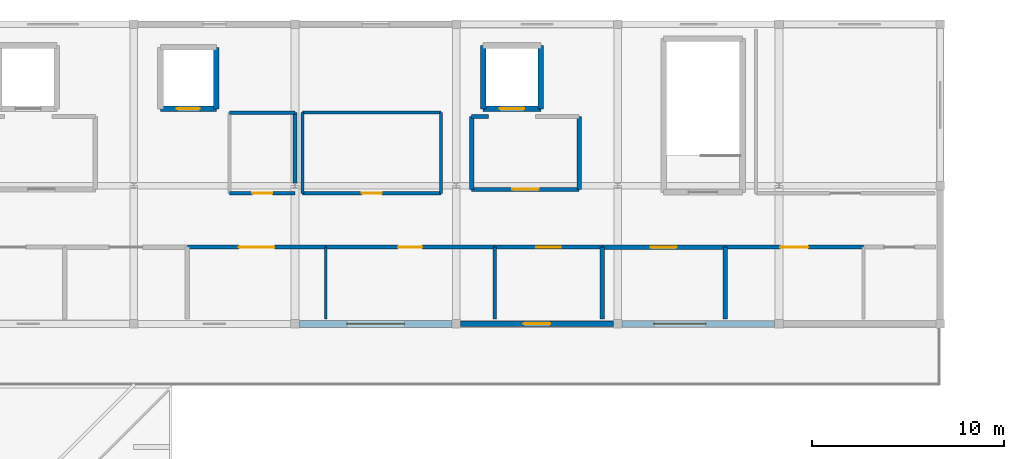
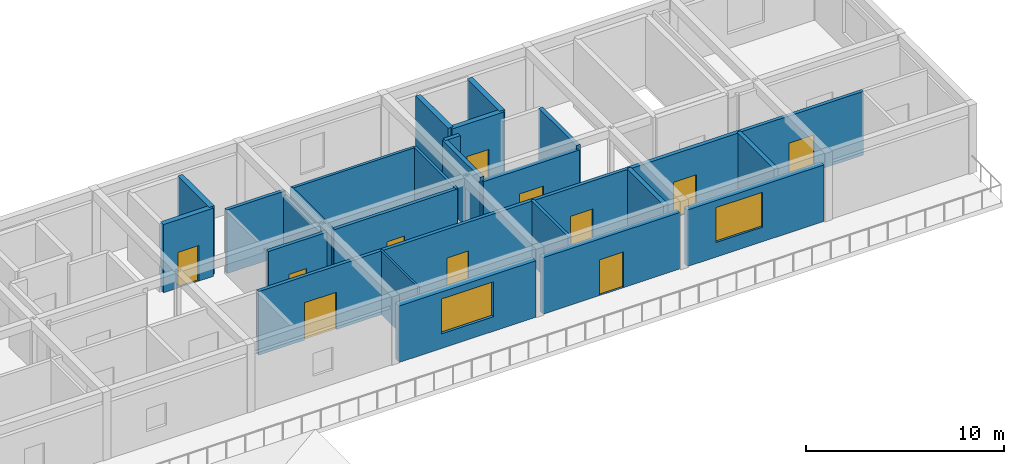
# One storey, part 15 of 22: 28 walls, 11 doors, 2 windows, 13 openings.
"""IFC4 building model written with IfcOpenShell, lengths in metres."""

from ifc_helpers import new_model, si_unit, direction, frame, frame_2d, origin, place, context, subcontext, project, spatial, rectangle, extrude, material, layer, layer_set, type_object, element, fill, save


model = new_model("IFC4")

# Units and contexts
model_context = context("Model", 3, precision=1e-05, world=origin(), true_north=direction((0.0, 1.0)))
body_context = subcontext(model_context, "Body", "Model", "MODEL_VIEW")
ifc_project = project(units=[si_unit("LENGTHUNIT", "METRE"), si_unit("AREAUNIT", "SQUARE_METRE"), si_unit("VOLUMEUNIT", "CUBIC_METRE"), si_unit("PLANEANGLEUNIT", "RADIAN"), si_unit("MASSUNIT", "GRAM", prefix="KILO")], contexts=[model_context])

# Site, building, storey
site_placement = place(None, origin())
site = spatial("IfcSite", under=ifc_project, at=site_placement, CompositionType="ELEMENT")
building_placement = place(site_placement, origin())
building = spatial("IfcBuilding", under=site, at=building_placement, Name="Varncliffe General Hospital", CompositionType="ELEMENT")
storey_placement = place(building_placement, frame((0.0, 0.0, 33.0)))
storey = spatial("IfcBuildingStorey", under=building, at=storey_placement, Name="L07", CompositionType="ELEMENT", Elevation=33.0)

# Wall, opening, window
ifc_material_1 = material(Name="Precast concrete C40/50 with insulated cream lime-cement stucco", Category="concrete")
ifc_layer_1 = layer(ifc_material_1, 0.31005859375)
ifc_layer_set_1 = layer_set([ifc_layer_1], Name="Precast concrete C40/50 with insulated cream lime-cement stucco")
wall_type_1 = type_object("IfcWallType", Name="Exterior Insulated Stucco Wall EW20 (310mm)", PredefinedType="SOLIDWALL", material=ifc_layer_set_1)
wall_1_placement = place(storey_placement, frame((58.576904296875, 109.199951171875, 0.0), z_axis=(0.0, 0.0, 1.0), x_axis=(-1.0, 0.0, 0.0)))
wall_1 = element("IfcWall", 1, at=wall_1_placement, inside=storey, type_object=wall_type_1, Name="L07 Exterior Stucco Wall EW20-550", PredefinedType="SOLIDWALL", context=body_context, shape_type="SweptSolid", body=[
    extrude(rectangle(XDim=7.953857421875, YDim=0.31005859375, at=frame_2d((3.97705078125, 0.0))), origin(), (0.0, 0.0, 1.0), 3.47998046875),
])
opening_1_placement = place(wall_1_placement, frame((3.5849609375, 0.0, 0.89990234375)))
opening_1 = element("IfcOpeningElement", 2, at=opening_1_placement, cuts=wall_1, Name="Opening WN58", PredefinedType="OPENING", context=body_context, shape_type="SweptSolid", body=[
    extrude(rectangle(XDim=2.699951171875, YDim=2.14990234375, at=frame_2d((1.35009765625, 1.074951171875))), frame((0.0, 0.1650390625, 0.0), z_axis=(0.0, -1.0, 0.0), x_axis=(1.0, 0.0, 0.0)), (0.0, 0.0, 1.0), 0.330078125),
])
ifc_material_2 = material(Name="Triple low-E argon insulated vision glazing", Category="glass")
window_type_1 = type_object("IfcWindowType", Name="Triple-Glazed Hospital Window WN58 (2700x2150)", PartitioningType="DOUBLE_PANEL_VERTICAL", PredefinedType="WINDOW", material=ifc_material_2)
window_1_placement = place(opening_1_placement, origin())
window_1 = element("IfcWindow", 3, at=window_1_placement, inside=storey, type_object=window_type_1, Name="L07 Hospital Window WN58-435", OverallHeight=2.14990234375, OverallWidth=2.699951171875, PartitioningType="DOUBLE_PANEL_VERTICAL", PredefinedType="WINDOW", context=body_context, shape_type="SweptSolid", body=[
    extrude(rectangle(XDim=2.699951171875, YDim=2.14990234375, at=frame_2d((1.35009765625, 1.074951171875))), frame((0.0, 0.030029296875, 0.0), z_axis=(0.0, -1.0, 0.0), x_axis=(1.0, 0.0, 0.0)), (0.0, 0.0, 1.0), 0.06005859375),
])
fill(opening_1, window_1)

ifc_layer_2 = layer(ifc_material_1, 0.3798828125)
ifc_layer_set_2 = layer_set([ifc_layer_2], Name="Precast concrete C40/50 with insulated cream lime-cement stucco")
wall_type_2 = type_object("IfcWallType", Name="Exterior Insulated Stucco Wall EW26 (380mm)", PredefinedType="SOLIDWALL", material=ifc_layer_set_2)
wall_2_placement = place(storey_placement, frame((41.777099609375, 109.199951171875, 0.0), z_axis=(0.0, 0.0, 1.0), x_axis=(-1.0, 0.0, 0.0)))
wall_2 = element("IfcWall", 4, at=wall_2_placement, inside=storey, type_object=wall_type_2, Name="L07 Exterior Stucco Wall EW26-552", PredefinedType="SOLIDWALL", context=body_context, shape_type="SweptSolid", body=[
    extrude(rectangle(XDim=7.9541015625, YDim=0.3798828125, at=frame_2d((3.97705078125, 0.0))), origin(), (0.0, 0.0, 1.0), 3.47998046875),
])
opening_2_placement = place(wall_2_placement, frame((2.47705078125, 0.0, 0.89990234375)))
opening_2 = element("IfcOpeningElement", 5, at=opening_2_placement, cuts=wall_2, Name="Opening WN37", PredefinedType="OPENING", context=body_context, shape_type="SweptSolid", body=[
    extrude(rectangle(XDim=3.0, YDim=2.14990234375, at=frame_2d((1.5, 1.074951171875))), frame((0.0, 0.199951171875, 0.0), z_axis=(0.0, -1.0, 0.0), x_axis=(1.0, 0.0, 0.0)), (0.0, 0.0, 1.0), 0.39990234375),
])
window_type_2 = type_object("IfcWindowType", Name="Triple-Glazed Hospital Window WN37 (3000x2150)", PartitioningType="DOUBLE_PANEL_VERTICAL", PredefinedType="WINDOW", material=ifc_material_2)
window_2_placement = place(opening_2_placement, origin())
window_2 = element("IfcWindow", 6, at=window_2_placement, inside=storey, type_object=window_type_2, Name="L07 Hospital Window WN37-436", OverallHeight=2.14990234375, OverallWidth=3.0, PartitioningType="DOUBLE_PANEL_VERTICAL", PredefinedType="WINDOW", context=body_context, shape_type="SweptSolid", body=[
    extrude(rectangle(XDim=3.0, YDim=2.14990234375, at=frame_2d((1.5, 1.074951171875))), frame((0.0, 0.030029296875, 0.0), z_axis=(0.0, -1.0, 0.0), x_axis=(1.0, 0.0, 0.0)), (0.0, 0.0, 1.0), 0.06005859375),
])
fill(opening_2, window_2)

# Wall, opening, door
ifc_layer_3 = layer(ifc_material_1, 0.2900390625)
ifc_layer_set_3 = layer_set([ifc_layer_3], Name="Precast concrete C40/50 with insulated cream lime-cement stucco")
wall_type_3 = type_object("IfcWallType", Name="Exterior Insulated Stucco Wall EW31 (290mm)", PredefinedType="SOLIDWALL", material=ifc_layer_set_3)
wall_3_placement = place(storey_placement, frame((50.177001953125, 109.199951171875, 0.0), z_axis=(0.0, 0.0, 1.0), x_axis=(-1.0, 0.0, 0.0)))
wall_3 = element("IfcWall", 7, at=wall_3_placement, inside=storey, type_object=wall_type_3, Name="L07 Exterior Stucco Wall EW31-551", PredefinedType="SOLIDWALL", context=body_context, shape_type="SweptSolid", body=[
    extrude(rectangle(XDim=7.9541015625, YDim=0.2900390625, at=frame_2d((3.97705078125, 0.0))), origin(), (0.0, 0.0, 1.0), 3.47998046875),
])
opening_3_placement = place(wall_3_placement, frame((3.277099609375, 0.0, 0.0)))
opening_3 = element("IfcOpeningElement", 8, at=opening_3_placement, cuts=wall_3, Name="Opening DE56", PredefinedType="OPENING", context=body_context, shape_type="SweptSolid", body=[
    extrude(rectangle(XDim=1.39990234375, YDim=2.199951171875, at=frame_2d((0.699951171875, 1.10009765625))), frame((0.0, 0.155029296875, 0.0), z_axis=(0.0, -1.0, 0.0), x_axis=(1.0, 0.0, 0.0)), (0.0, 0.0, 1.0), 0.31005859375),
])
ifc_material_3 = material(Name="Thermally broken bronze-anodized aluminium and safety glass door", Category="aluminium")
door_type_1 = type_object("IfcDoorType", Name="Exterior Pedestrian Door DE56 (1400x2200)", OperationType="NOTDEFINED", PredefinedType="DOOR", material=ifc_material_3)
door_1_placement = place(opening_3_placement, origin())
door_1 = element("IfcDoor", 9, at=door_1_placement, inside=storey, type_object=door_type_1, Name="L07 Healing Terrace Access Door 43", OperationType="SINGLE_SWING_RIGHT", OverallHeight=2.199951171875, OverallWidth=1.39990234375, PredefinedType="DOOR", context=body_context, shape_type="SweptSolid", body=[
    extrude(rectangle(XDim=1.39990234375, YDim=2.199951171875, at=frame_2d((0.699951171875, 1.10009765625))), frame((0.0, 0.02490234375, 0.0), z_axis=(0.0, -1.0, 0.0), x_axis=(1.0, 0.0, 0.0)), (0.0, 0.0, 1.0), 0.050048828125),
])
fill(opening_3, door_1)

# Walls
ifc_material_4 = material(Name="Acoustic clinical gypsum stud partition assembly", Category="gypsum")
ifc_layer_4 = layer(ifc_material_4, 0.169921875)
ifc_layer_set_4 = layer_set([ifc_layer_4], Name="Acoustic clinical gypsum stud partition assembly")
wall_type_4 = type_object("IfcWallType", Name="Interior Partitioning IW20 (170mm)", PredefinedType="PARTITIONING", material=ifc_layer_set_4)
wall_4_placement = place(storey_placement, frame((44.0, 109.4599609375, 0.0), z_axis=(0.0, 0.0, 1.0), x_axis=(0.0, 1.0, 0.0)))
element("IfcWall", 10, at=wall_4_placement, inside=storey, type_object=wall_type_4, Name="L07 Interior Partition Wall IW20-2385", PredefinedType="PARTITIONING", context=body_context, shape_type="SweptSolid", body=[
    extrude(rectangle(XDim=3.739990234375, YDim=0.169921875, at=frame_2d((1.8701171875, 0.0))), origin(), (0.0, 0.0, 1.0), 3.919921875),
])
ifc_layer_5 = layer(ifc_material_4, 0.110107421875)
ifc_layer_set_5 = layer_set([ifc_layer_5], Name="Acoustic clinical gypsum stud partition assembly")
wall_type_5 = type_object("IfcWallType", Name="Interior Partitioning IW65 (110mm)", PredefinedType="PARTITIONING", material=ifc_layer_set_5)
wall_5_placement = place(storey_placement, frame((35.199951171875, 109.4599609375, 0.0), z_axis=(0.0, 0.0, 1.0), x_axis=(0.0, 1.0, 0.0)))
element("IfcWall", 11, at=wall_5_placement, inside=storey, type_object=wall_type_5, Name="L07 Interior Partition Wall IW65-2382", PredefinedType="PARTITIONING", context=body_context, shape_type="SweptSolid", body=[
    extrude(rectangle(XDim=3.739990234375, YDim=0.110107421875, at=frame_2d((1.8701171875, 0.0))), origin(), (0.0, 0.0, 1.0), 3.919921875),
])
ifc_material_5 = material(Name="Fire-rated gypsum and mineral-wool partition assembly", Category="gypsum")
ifc_layer_6 = layer(ifc_material_5, 0.25)
ifc_layer_set_6 = layer_set([ifc_layer_6], Name="Fire-rated gypsum and mineral-wool partition assembly")
wall_type_6 = type_object("IfcWallType", Name="Interior Partitioning PW38 (250mm)", PredefinedType="PARTITIONING", material=ifc_layer_set_6)
wall_6_placement = place(storey_placement, frame((49.60009765625, 109.4599609375, 0.0), z_axis=(0.0, 0.0, 1.0), x_axis=(0.0, 1.0, 0.0)))
element("IfcWall", 12, at=wall_6_placement, inside=storey, type_object=wall_type_6, Name="L07 Interior Partition Wall PW38-2387", PredefinedType="PARTITIONING", context=body_context, shape_type="SweptSolid", body=[
    extrude(rectangle(XDim=3.739990234375, YDim=0.25, at=frame_2d((1.8701171875, 0.0))), origin(), (0.0, 0.0, 1.0), 3.919921875),
])

# Wall, opening, door
ifc_layer_7 = layer(ifc_material_5, 0.22998046875)
ifc_layer_set_7 = layer_set([ifc_layer_7], Name="Fire-rated gypsum and mineral-wool partition assembly")
wall_type_7 = type_object("IfcWallType", Name="Interior Partitioning PW48 (230mm)", PredefinedType="PARTITIONING", material=ifc_layer_set_7)
wall_7_placement = place(storey_placement, frame((49.60009765625, 113.199951171875, 0.0), z_axis=(0.0, 0.0, 1.0), x_axis=(1.0, 0.0, 0.0)))
wall_7 = element("IfcWall", 13, at=wall_7_placement, inside=storey, type_object=wall_type_7, Name="L07 Interior Partition Wall PW48-2336", PredefinedType="PARTITIONING", context=body_context, shape_type="SweptSolid", body=[
    extrude(rectangle(XDim=6.39990234375, YDim=0.22998046875, at=frame_2d((3.199951171875, 0.0))), origin(), (0.0, 0.0, 1.0), 3.919921875),
])
opening_4_placement = place(wall_7_placement, frame((2.52490234375, 0.0, 0.0)))
opening_4 = element("IfcOpeningElement", 14, at=opening_4_placement, cuts=wall_7, Name="Opening DC85", PredefinedType="OPENING", context=body_context, shape_type="SweptSolid", body=[
    extrude(rectangle(XDim=1.35009765625, YDim=2.199951171875, at=frame_2d((0.675048828125, 1.10009765625))), frame((0.0, 0.125, 0.0), z_axis=(0.0, -1.0, 0.0), x_axis=(1.0, 0.0, 0.0)), (0.0, 0.0, 1.0), 0.25),
])
ifc_material_6 = material(Name="Fire-rated hospital steel-frame vision-panel door", Category="steel")
door_type_2 = type_object("IfcDoorType", Name="Interior Hospital Door DC85 (1350x2200)", OperationType="NOTDEFINED", PredefinedType="DOOR", material=ifc_material_6)
door_2_placement = place(opening_4_placement, frame((1.35009765625, 0.0, 0.0), z_axis=(0.0, 0.0, 1.0), x_axis=(-1.0, 0.0, 0.0)))
door_2 = element("IfcDoor", 15, at=door_2_placement, inside=storey, type_object=door_type_2, Name="L07 Crown Wing Mechanical Plant Room 24 Door", OperationType="SINGLE_SWING_RIGHT", OverallHeight=2.199951171875, OverallWidth=1.35009765625, PredefinedType="DOOR", context=body_context, shape_type="SweptSolid", body=[
    extrude(rectangle(XDim=1.35009765625, YDim=2.199951171875, at=frame_2d((0.675048828125, 1.10009765625))), frame((0.0, 0.02490234375, 0.0), z_axis=(0.0, -1.0, 0.0), x_axis=(1.0, 0.0, 0.0)), (0.0, 0.0, 1.0), 0.050048828125),
])
fill(opening_4, door_2)

wall_8_placement = place(storey_placement, frame((42.800048828125, 116.199951171875, 0.0), z_axis=(0.0, 0.0, 1.0), x_axis=(1.0, 0.0, 0.0)))
wall_8 = element("IfcWall", 16, at=wall_8_placement, inside=storey, type_object=wall_type_7, Name="L07 Interior Partition Wall PW48-2360", PredefinedType="PARTITIONING", context=body_context, shape_type="SweptSolid", body=[
    extrude(rectangle(XDim=5.599853515625, YDim=0.22998046875, at=frame_2d((2.7998046875, 0.0))), origin(), (0.0, 0.0, 1.0), 3.68505859375),
])
opening_5_placement = place(wall_8_placement, frame((2.10009765625, 0.0, 0.0)))
opening_5 = element("IfcOpeningElement", 17, at=opening_5_placement, cuts=wall_8, Name="Opening DF81", PredefinedType="OPENING", context=body_context, shape_type="SweptSolid", body=[
    extrude(rectangle(XDim=1.39990234375, YDim=2.199951171875, at=frame_2d((0.699951171875, 1.10009765625))), frame((0.0, 0.125, 0.0), z_axis=(0.0, -1.0, 0.0), x_axis=(1.0, 0.0, 0.0)), (0.0, 0.0, 1.0), 0.25),
])
door_type_3 = type_object("IfcDoorType", Name="Interior Hospital Door DF81 (1400x2200)", OperationType="NOTDEFINED", PredefinedType="DOOR", material=ifc_material_6)
door_3_placement = place(opening_5_placement, origin())
door_3 = element("IfcDoor", 18, at=door_3_placement, inside=storey, type_object=door_type_3, Name="L07 Firefighting Lift Lobby LF02 Door", OperationType="SINGLE_SWING_RIGHT", OverallHeight=2.199951171875, OverallWidth=1.39990234375, PredefinedType="DOOR", context=body_context, shape_type="SweptSolid", body=[
    extrude(rectangle(XDim=1.39990234375, YDim=2.199951171875, at=frame_2d((0.699951171875, 1.10009765625))), frame((0.0, 0.02490234375, 0.0), z_axis=(0.0, -1.0, 0.0), x_axis=(1.0, 0.0, 0.0)), (0.0, 0.0, 1.0), 0.050048828125),
])
fill(opening_5, door_3)

# Walls
wall_9_placement = place(storey_placement, frame((42.800048828125, 120.0, 0.0), z_axis=(0.0, 0.0, 1.0), x_axis=(1.0, 0.0, 0.0)))
element("IfcWall", 19, at=wall_9_placement, inside=storey, type_object=wall_type_7, Name="L07 Interior Partition Wall PW48-2365", PredefinedType="PARTITIONING", context=body_context, shape_type="SweptSolid", body=[
    extrude(rectangle(XDim=0.864013671875, YDim=0.22998046875, at=frame_2d((0.43212890625, 0.0))), origin(), (0.0, 0.0, 1.0), 3.919921875),
])
for number, where, z_axis, x_axis, name in (
    (20, (42.800048828125, 116.199951171875, 0.0), (0.0, 0.0, 1.0), (0.0, 1.0, 0.0), "L07 Interior Partition Wall PW48-2384"),
    (21, (48.39990234375, 116.199951171875, 0.0), (0.0, 0.0, 1.0), (0.0, 1.0, 0.0), "L07 Interior Partition Wall PW48-2386"),
):
    element("IfcWall", number, at=place(storey_placement, frame(where, z_axis=z_axis, x_axis=x_axis)), inside=storey, type_object=wall_type_7, Name=name, PredefinedType="PARTITIONING", context=body_context, shape_type="SweptSolid", body=[
        extrude(rectangle(XDim=3.800048828125, YDim=0.22998046875, at=frame_2d((1.89990234375, 0.0))), origin(), (0.0, 0.0, 1.0), 3.919921875),
    ])
wall_10_placement = place(storey_placement, frame((56.0, 109.4599609375, 0.0), z_axis=(0.0, 0.0, 1.0), x_axis=(0.0, 1.0, 0.0)))
element("IfcWall", 22, at=wall_10_placement, inside=storey, type_object=wall_type_7, Name="L07 Interior Partition Wall PW48-2388", PredefinedType="PARTITIONING", context=body_context, shape_type="SweptSolid", body=[
    extrude(rectangle(XDim=3.739990234375, YDim=0.22998046875, at=frame_2d((1.8701171875, 0.0))), origin(), (0.0, 0.0, 1.0), 3.919921875),
])

# Wall, opening, door
ifc_layer_8 = layer(ifc_material_5, 0.199951171875)
ifc_layer_set_8 = layer_set([ifc_layer_8], Name="Fire-rated gypsum and mineral-wool partition assembly")
wall_type_8 = type_object("IfcWallType", Name="Interior Partitioning PW63 (200mm)", PredefinedType="PARTITIONING", material=ifc_layer_set_8)
wall_11_placement = place(storey_placement, frame((28.0, 113.199951171875, 0.0), z_axis=(0.0, 0.0, 1.0), x_axis=(1.0, 0.0, 0.0)))
wall_11 = element("IfcWall", 23, at=wall_11_placement, inside=storey, type_object=wall_type_8, Name="L07 Interior Partition Wall PW63-2333", PredefinedType="PARTITIONING", context=body_context, shape_type="SweptSolid", body=[
    extrude(rectangle(XDim=7.199951171875, YDim=0.199951171875, at=frame_2d((3.60009765625, 0.0))), origin(), (0.0, 0.0, 1.0), 3.919921875),
])
opening_6_placement = place(wall_11_placement, frame((2.675048828125, 0.0, 0.0)))
opening_6 = element("IfcOpeningElement", 24, at=opening_6_placement, cuts=wall_11, Name="Opening DC38", PredefinedType="OPENING", context=body_context, shape_type="SweptSolid", body=[
    extrude(rectangle(XDim=1.85009765625, YDim=2.300048828125, at=frame_2d((0.925048828125, 1.14990234375))), frame((0.0, 0.10986328125, 0.0), z_axis=(0.0, -1.0, 0.0), x_axis=(1.0, 0.0, 0.0)), (0.0, 0.0, 1.0), 0.219970703125),
])
door_type_4 = type_object("IfcDoorType", Name="Interior Hospital Door DC38 (1850x2300)", OperationType="NOTDEFINED", PredefinedType="DOOR", material=ifc_material_6)
door_4_placement = place(opening_6_placement, frame((1.85009765625, 0.0, 0.0), z_axis=(0.0, 0.0, 1.0), x_axis=(-1.0, 0.0, 0.0)))
door_4 = element("IfcDoor", 25, at=door_4_placement, inside=storey, type_object=door_type_4, Name="L07 Adolescent Inpatient Suite 21 Door", OperationType="SINGLE_SWING_LEFT", OverallHeight=2.300048828125, OverallWidth=1.85009765625, PredefinedType="DOOR", context=body_context, shape_type="SweptSolid", body=[
    extrude(rectangle(XDim=1.85009765625, YDim=2.300048828125, at=frame_2d((0.925048828125, 1.14990234375))), frame((0.0, 0.02490234375, 0.0), z_axis=(0.0, -1.0, 0.0), x_axis=(1.0, 0.0, 0.0)), (0.0, 0.0, 1.0), 0.050048828125),
])
fill(opening_6, door_4)

wall_12_placement = place(storey_placement, frame((35.199951171875, 113.199951171875, 0.0), z_axis=(0.0, 0.0, 1.0), x_axis=(1.0, 0.0, 0.0)))
wall_12 = element("IfcWall", 26, at=wall_12_placement, inside=storey, type_object=wall_type_8, Name="L07 Interior Partition Wall PW63-2334", PredefinedType="PARTITIONING", context=body_context, shape_type="SweptSolid", body=[
    extrude(rectangle(XDim=8.800048828125, YDim=0.199951171875, at=frame_2d((4.39990234375, 0.0))), origin(), (0.0, 0.0, 1.0), 3.919921875),
])
opening_7_placement = place(wall_12_placement, frame((3.77490234375, 0.0, 0.0)))
opening_7 = element("IfcOpeningElement", 27, at=opening_7_placement, cuts=wall_12, Name="Opening DC44", PredefinedType="OPENING", context=body_context, shape_type="SweptSolid", body=[
    extrude(rectangle(XDim=1.25, YDim=2.14990234375, at=frame_2d((0.625, 1.074951171875))), frame((0.0, 0.10986328125, 0.0), z_axis=(0.0, -1.0, 0.0), x_axis=(1.0, 0.0, 0.0)), (0.0, 0.0, 1.0), 0.219970703125),
])
door_type_5 = type_object("IfcDoorType", Name="Interior Hospital Door DC44 (1250x2150)", OperationType="NOTDEFINED", PredefinedType="DOOR", material=ifc_material_6)
door_5_placement = place(opening_7_placement, frame((1.25, 0.0, 0.0), z_axis=(0.0, 0.0, 1.0), x_axis=(-1.0, 0.0, 0.0)))
door_5 = element("IfcDoor", 28, at=door_5_placement, inside=storey, type_object=door_type_5, Name="L07 Patient Healing Solarium 22 Door", OperationType="SINGLE_SWING_RIGHT", OverallHeight=2.14990234375, OverallWidth=1.25, PredefinedType="DOOR", context=body_context, shape_type="SweptSolid", body=[
    extrude(rectangle(XDim=1.25, YDim=2.14990234375, at=frame_2d((0.625, 1.074951171875))), frame((0.0, 0.02490234375, 0.0), z_axis=(0.0, -1.0, 0.0), x_axis=(1.0, 0.0, 0.0)), (0.0, 0.0, 1.0), 0.050048828125),
])
fill(opening_7, door_5)

wall_13_placement = place(storey_placement, frame((44.0, 113.199951171875, 0.0), z_axis=(0.0, 0.0, 1.0), x_axis=(1.0, 0.0, 0.0)))
wall_13 = element("IfcWall", 29, at=wall_13_placement, inside=storey, type_object=wall_type_8, Name="L07 Interior Partition Wall PW63-2335", PredefinedType="PARTITIONING", context=body_context, shape_type="SweptSolid", body=[
    extrude(rectangle(XDim=5.60009765625, YDim=0.199951171875, at=frame_2d((2.800048828125, 0.0))), origin(), (0.0, 0.0, 1.0), 3.919921875),
])
opening_8_placement = place(wall_13_placement, frame((2.14990234375, 0.0, 0.0)))
opening_8 = element("IfcOpeningElement", 30, at=opening_8_placement, cuts=wall_13, Name="Opening DC88", PredefinedType="OPENING", context=body_context, shape_type="SweptSolid", body=[
    extrude(rectangle(XDim=1.300048828125, YDim=2.199951171875, at=frame_2d((0.64990234375, 1.10009765625))), frame((0.0, 0.10986328125, 0.0), z_axis=(0.0, -1.0, 0.0), x_axis=(1.0, 0.0, 0.0)), (0.0, 0.0, 1.0), 0.219970703125),
])
door_type_6 = type_object("IfcDoorType", Name="Interior Hospital Door DC88 (1300x2200)", OperationType="NOTDEFINED", PredefinedType="DOOR", material=ifc_material_6)
door_6_placement = place(opening_8_placement, frame((1.300048828125, 0.0, 0.0), z_axis=(0.0, 0.0, 1.0), x_axis=(-1.0, 0.0, 0.0)))
door_6 = element("IfcDoor", 31, at=door_6_placement, inside=storey, type_object=door_type_6, Name="L07 On-Call Physician Duty Room 23 Door", OperationType="SINGLE_SWING_LEFT", OverallHeight=2.199951171875, OverallWidth=1.300048828125, PredefinedType="DOOR", context=body_context, shape_type="SweptSolid", body=[
    extrude(rectangle(XDim=1.300048828125, YDim=2.199951171875, at=frame_2d((0.64990234375, 1.10009765625))), frame((0.0, 0.02490234375, 0.0), z_axis=(0.0, -1.0, 0.0), x_axis=(1.0, 0.0, 0.0)), (0.0, 0.0, 1.0), 0.050048828125),
])
fill(opening_8, door_6)

wall_14_placement = place(storey_placement, frame((56.0, 113.199951171875, 0.0), z_axis=(0.0, 0.0, 1.0), x_axis=(1.0, 0.0, 0.0)))
wall_14 = element("IfcWall", 32, at=wall_14_placement, inside=storey, type_object=wall_type_8, Name="L07 Interior Partition Wall PW63-2337", PredefinedType="PARTITIONING", context=body_context, shape_type="SweptSolid", body=[
    extrude(rectangle(XDim=7.199951171875, YDim=0.199951171875, at=frame_2d((3.60009765625, 0.0))), origin(), (0.0, 0.0, 1.0), 3.919921875),
])
opening_9_placement = place(wall_14_placement, frame((2.875, 0.0, 0.0)))
opening_9 = element("IfcOpeningElement", 33, at=opening_9_placement, cuts=wall_14, Name="Opening DC66", PredefinedType="OPENING", context=body_context, shape_type="SweptSolid", body=[
    extrude(rectangle(XDim=1.449951171875, YDim=2.25, at=frame_2d((0.72509765625, 1.125))), frame((0.0, 0.10986328125, 0.0), z_axis=(0.0, -1.0, 0.0), x_axis=(1.0, 0.0, 0.0)), (0.0, 0.0, 1.0), 0.219970703125),
])
door_type_7 = type_object("IfcDoorType", Name="Interior Hospital Door DC66 (1450x2250)", OperationType="NOTDEFINED", PredefinedType="DOOR", material=ifc_material_6)
door_7_placement = place(opening_9_placement, frame((1.449951171875, 0.0, 0.0), z_axis=(0.0, 0.0, 1.0), x_axis=(-1.0, 0.0, 0.0)))
door_7 = element("IfcDoor", 34, at=door_7_placement, inside=storey, type_object=door_type_7, Name="L07 Adolescent Inpatient Suite 25 Door", OperationType="SINGLE_SWING_LEFT", OverallHeight=2.25, OverallWidth=1.449951171875, PredefinedType="DOOR", context=body_context, shape_type="SweptSolid", body=[
    extrude(rectangle(XDim=1.449951171875, YDim=2.25, at=frame_2d((0.72509765625, 1.125))), frame((0.0, 0.02490234375, 0.0), z_axis=(0.0, -1.0, 0.0), x_axis=(1.0, 0.0, 0.0)), (0.0, 0.0, 1.0), 0.050048828125),
])
fill(opening_9, door_7)

wall_15_placement = place(storey_placement, frame((30.199951171875, 116.0, 0.0), z_axis=(0.0, 0.0, 1.0), x_axis=(1.0, 0.0, 0.0)))
wall_15 = element("IfcWall", 35, at=wall_15_placement, inside=storey, type_object=wall_type_8, Name="L07 Interior Partition Wall PW63-2350", PredefinedType="PARTITIONING", context=body_context, shape_type="SweptSolid", body=[
    extrude(rectangle(XDim=3.400146484375, YDim=0.199951171875, at=frame_2d((1.7001953125, 0.0))), origin(), (0.0, 0.0, 1.0), 3.919921875),
])
opening_10_placement = place(wall_15_placement, frame((1.179931640625, 0.0, 0.0)))
opening_10 = element("IfcOpeningElement", 36, at=opening_10_placement, cuts=wall_15, Name="Opening DI77", PredefinedType="OPENING", context=body_context, shape_type="SweptSolid", body=[
    extrude(rectangle(XDim=1.0400390625, YDim=2.10009765625, at=frame_2d((0.52001953125, 1.050048828125))), frame((0.0, 0.10986328125, 0.0), z_axis=(0.0, -1.0, 0.0), x_axis=(1.0, 0.0, 0.0)), (0.0, 0.0, 1.0), 0.219970703125),
])
ifc_material_7 = material(Name="Solid-core antimicrobial hospital oak veneer door", Category="wood")
door_type_8 = type_object("IfcDoorType", Name="Interior Hospital Door DI77 (1040x2100)", OperationType="NOTDEFINED", PredefinedType="DOOR", material=ifc_material_7)
door_8_placement = place(opening_10_placement, origin())
door_8 = element("IfcDoor", 37, at=door_8_placement, inside=storey, type_object=door_type_8, Name="L07 Accessible WC L07-NW Door", OperationType="SINGLE_SWING_RIGHT", OverallHeight=2.10009765625, OverallWidth=1.0400390625, PredefinedType="DOOR", context=body_context, shape_type="SweptSolid", body=[
    extrude(rectangle(XDim=1.0400390625, YDim=2.10009765625, at=frame_2d((0.52001953125, 1.050048828125))), frame((0.0, 0.02490234375, 0.0), z_axis=(0.0, -1.0, 0.0), x_axis=(1.0, 0.0, 0.0)), (0.0, 0.0, 1.0), 0.050048828125),
])
fill(opening_10, door_8)

wall_16_placement = place(storey_placement, frame((34.0, 116.0, 0.0), z_axis=(0.0, 0.0, 1.0), x_axis=(1.0, 0.0, 0.0)))
wall_16 = element("IfcWall", 38, at=wall_16_placement, inside=storey, type_object=wall_type_8, Name="L07 Interior Partition Wall PW63-2351", PredefinedType="PARTITIONING", context=body_context, shape_type="SweptSolid", body=[
    extrude(rectangle(XDim=7.199951171875, YDim=0.199951171875, at=frame_2d((3.60009765625, 0.0))), origin(), (0.0, 0.0, 1.0), 3.919921875),
])
opening_11_placement = place(wall_16_placement, frame((3.080078125, 0.0, 0.0)))
opening_11 = element("IfcOpeningElement", 39, at=opening_11_placement, cuts=wall_16, Name="Opening DI77", PredefinedType="OPENING", context=body_context, shape_type="SweptSolid", body=[
    extrude(rectangle(XDim=1.0400390625, YDim=2.10009765625, at=frame_2d((0.52001953125, 1.050048828125))), frame((0.0, 0.10986328125, 0.0), z_axis=(0.0, -1.0, 0.0), x_axis=(1.0, 0.0, 0.0)), (0.0, 0.0, 1.0), 0.219970703125),
])
door_9_placement = place(opening_11_placement, origin())
door_9 = element("IfcDoor", 40, at=door_9_placement, inside=storey, type_object=door_type_8, Name="L07 Staff and Visitor WC L07-NW Door", OperationType="SINGLE_SWING_LEFT", OverallHeight=2.10009765625, OverallWidth=1.0400390625, PredefinedType="DOOR", context=body_context, shape_type="SweptSolid", body=[
    extrude(rectangle(XDim=1.0400390625, YDim=2.10009765625, at=frame_2d((0.52001953125, 1.050048828125))), frame((0.0, 0.02490234375, 0.0), z_axis=(0.0, -1.0, 0.0), x_axis=(1.0, 0.0, 0.0)), (0.0, 0.0, 1.0), 0.050048828125),
])
fill(opening_11, door_9)

# Walls
ifc_material_8 = material(Name="Moisture-resistant plumbing chase wall assembly", Category="gypsum")
ifc_layer_9 = layer(ifc_material_8, 0.18994140625)
ifc_layer_set_9 = layer_set([ifc_layer_9], Name="Moisture-resistant plumbing chase wall assembly")
wall_type_9 = type_object("IfcWallType", Name="Interior Plumbingwall MW17 (190mm)", PredefinedType="PLUMBINGWALL", material=ifc_layer_set_9)
wall_17_placement = place(storey_placement, frame((30.199951171875, 120.199951171875, 0.0), z_axis=(0.0, 0.0, 1.0), x_axis=(1.0, 0.0, 0.0)))
element("IfcWall", 41, at=wall_17_placement, inside=storey, type_object=wall_type_9, Name="L07 Interior Plumbing Wall MW17-2368", PredefinedType="PLUMBINGWALL", context=body_context, shape_type="SweptSolid", body=[
    extrude(rectangle(XDim=3.400146484375, YDim=0.18994140625, at=frame_2d((1.7001953125, 0.0))), origin(), (0.0, 0.0, 1.0), 3.919921875),
])
wall_18_placement = place(storey_placement, frame((33.60009765625, 116.54150390625, 0.0), z_axis=(0.0, 0.0, 1.0), x_axis=(0.0, 1.0, 0.0)))
element("IfcWall", 42, at=wall_18_placement, inside=storey, type_object=wall_type_9, Name="L07 Interior Plumbing Wall MW17-2380", PredefinedType="PLUMBINGWALL", context=body_context, shape_type="SweptSolid", body=[
    extrude(rectangle(XDim=3.658447265625, YDim=0.18994140625, at=frame_2d((1.8291015625, 0.0))), origin(), (0.0, 0.0, 1.0), 3.635009765625),
])
ifc_layer_10 = layer(ifc_material_8, 0.159912109375)
ifc_layer_set_10 = layer_set([ifc_layer_10], Name="Moisture-resistant plumbing chase wall assembly")
wall_type_10 = type_object("IfcWallType", Name="Interior Plumbingwall MW31 (160mm)", PredefinedType="PLUMBINGWALL", material=ifc_layer_set_10)
wall_19_placement = place(storey_placement, frame((34.0, 120.199951171875, 0.0), z_axis=(0.0, 0.0, 1.0), x_axis=(1.0, 0.0, 0.0)))
element("IfcWall", 43, at=wall_19_placement, inside=storey, type_object=wall_type_10, Name="L07 Interior Plumbing Wall MW31-2369", PredefinedType="PLUMBINGWALL", context=body_context, shape_type="SweptSolid", body=[
    extrude(rectangle(XDim=7.199951171875, YDim=0.159912109375, at=frame_2d((3.60009765625, 0.0))), origin(), (0.0, 0.0, 1.0), 3.919921875),
])
for number, where, z_axis, x_axis, name in (
    (44, (34.0, 116.0, 0.0), (0.0, 0.0, 1.0), (0.0, 1.0, 0.0), "L07 Interior Plumbing Wall MW31-2381"),
    (45, (41.199951171875, 116.0, 0.0), (0.0, 0.0, 1.0), (0.0, 1.0, 0.0), "L07 Interior Plumbing Wall MW31-2383"),
):
    element("IfcWall", number, at=place(storey_placement, frame(where, z_axis=z_axis, x_axis=x_axis)), inside=storey, type_object=wall_type_10, Name=name, PredefinedType="PLUMBINGWALL", context=body_context, shape_type="SweptSolid", body=[
        extrude(rectangle(XDim=4.199951171875, YDim=0.159912109375, at=frame_2d((2.10009765625, 0.0))), origin(), (0.0, 0.0, 1.0), 3.919921875),
    ])

# Wall, opening, door
ifc_material_9 = material(Name="Concrete C40/50 (CSA A23.1 40 MPa)", Category="concrete")
ifc_layer_11 = layer(ifc_material_9, 0.300048828125)
ifc_layer_set_11 = layer_set([ifc_layer_11], Name="Concrete C40/50 (CSA A23.1 40 MPa)")
wall_type_11 = type_object("IfcWallType", Name="Reinforced Concrete Core Shear Wall CW12 (300mm)", PredefinedType="SHEAR", material=ifc_layer_set_11)
wall_20_placement = place(storey_placement, frame((43.39990234375, 120.39990234375, 0.0), z_axis=(0.0, 0.0, 1.0), x_axis=(1.0, 0.0, 0.0)))
wall_20 = element("IfcWall", 46, at=wall_20_placement, inside=storey, type_object=wall_type_11, Name="L07 LF02 Elevator Shaft Wall South", PredefinedType="SHEAR", context=body_context, shape_type="SweptSolid", body=[
    extrude(rectangle(XDim=3.0, YDim=0.300048828125, at=frame_2d((1.5, 0.0))), origin(), (0.0, 0.0, 1.0), 4.199951171875),
])
opening_12_placement = place(wall_20_placement, frame((0.85009765625, 0.0, 0.0)))
opening_12 = element("IfcOpeningElement", 47, at=opening_12_placement, cuts=wall_20, Name="Opening LD02", PredefinedType="OPENING", context=body_context, shape_type="SweptSolid", body=[
    extrude(rectangle(XDim=1.300048828125, YDim=2.199951171875, at=frame_2d((0.64990234375, 1.10009765625))), frame((0.0, 0.16015625, 0.0), z_axis=(0.0, -1.0, 0.0), x_axis=(1.0, 0.0, 0.0)), (0.0, 0.0, 1.0), 0.320068359375),
])
ifc_material_10 = material(Name="Brushed stainless-steel sliding elevator landing door", Category="steel")
door_type_9 = type_object("IfcDoorType", Name="Lift Landing Door LD02 (1300x2200)", OperationType="DOUBLE_DOOR_SLIDING", PredefinedType="DOOR", material=ifc_material_10)
door_10_placement = place(opening_12_placement, origin())
door_10 = element("IfcDoor", 48, at=door_10_placement, inside=storey, type_object=door_type_9, Name="Lift Landing Door LF02 L07", OperationType="DOUBLE_DOOR_SLIDING", OverallHeight=2.199951171875, OverallWidth=1.300048828125, PredefinedType="DOOR", context=body_context, shape_type="SweptSolid", body=[
    extrude(rectangle(XDim=1.300048828125, YDim=2.199951171875, at=frame_2d((0.64990234375, 1.10009765625))), frame((0.0, 0.02490234375, 0.0), z_axis=(0.0, -1.0, 0.0), x_axis=(1.0, 0.0, 0.0)), (0.0, 0.0, 1.0), 0.050048828125),
])
fill(opening_12, door_10)

# Walls
for number, where, z_axis, x_axis, name in (
    (49, (46.39990234375, 120.39990234375, 0.0), (0.0, 0.0, 1.0), (0.0, 1.0, 0.0), "L07 LF02 Elevator Shaft Wall East"),
    (50, (43.39990234375, 123.699951171875, 0.0), (0.0, 0.0, 1.0), (0.0, -1.0, 0.0), "L07 LF02 Elevator Shaft Wall West"),
):
    element("IfcWall", number, at=place(storey_placement, frame(where, z_axis=z_axis, x_axis=x_axis)), inside=storey, type_object=wall_type_11, Name=name, PredefinedType="SHEAR", context=body_context, shape_type="SweptSolid", body=[
        extrude(rectangle(XDim=3.300048828125, YDim=0.300048828125, at=frame_2d((1.64990234375, 0.0))), origin(), (0.0, 0.0, 1.0), 4.199951171875),
    ])

# Wall, opening, door
wall_21_placement = place(storey_placement, frame((26.60009765625, 120.39990234375, 0.0), z_axis=(0.0, 0.0, 1.0), x_axis=(1.0, 0.0, 0.0)))
wall_21 = element("IfcWall", 51, at=wall_21_placement, inside=storey, type_object=wall_type_11, Name="L07 LF04 Elevator Shaft Wall South", PredefinedType="SHEAR", context=body_context, shape_type="SweptSolid", body=[
    extrude(rectangle(XDim=2.89990234375, YDim=0.300048828125, at=frame_2d((1.449951171875, 0.0))), origin(), (0.0, 0.0, 1.0), 4.199951171875),
])
opening_13_placement = place(wall_21_placement, frame((0.85009765625, 0.0, 0.0)))
opening_13 = element("IfcOpeningElement", 52, at=opening_13_placement, cuts=wall_21, Name="Opening LD01", PredefinedType="OPENING", context=body_context, shape_type="SweptSolid", body=[
    extrude(rectangle(XDim=1.199951171875, YDim=2.199951171875, at=frame_2d((0.60009765625, 1.10009765625))), frame((0.0, 0.16015625, 0.0), z_axis=(0.0, -1.0, 0.0), x_axis=(1.0, 0.0, 0.0)), (0.0, 0.0, 1.0), 0.320068359375),
])
door_type_10 = type_object("IfcDoorType", Name="Lift Landing Door LD01 (1200x2200)", OperationType="DOUBLE_DOOR_SLIDING", PredefinedType="DOOR", material=ifc_material_10)
door_11_placement = place(opening_13_placement, origin())
door_11 = element("IfcDoor", 53, at=door_11_placement, inside=storey, type_object=door_type_10, Name="Lift Landing Door LF04 L07", OperationType="DOUBLE_DOOR_SLIDING", OverallHeight=2.199951171875, OverallWidth=1.199951171875, PredefinedType="DOOR", context=body_context, shape_type="SweptSolid", body=[
    extrude(rectangle(XDim=1.199951171875, YDim=2.199951171875, at=frame_2d((0.60009765625, 1.10009765625))), frame((0.0, 0.02490234375, 0.0), z_axis=(0.0, -1.0, 0.0), x_axis=(1.0, 0.0, 0.0)), (0.0, 0.0, 1.0), 0.050048828125),
])
fill(opening_13, door_11)

# Wall
wall_22_placement = place(storey_placement, frame((29.5, 120.39990234375, 0.0), z_axis=(0.0, 0.0, 1.0), x_axis=(0.0, 1.0, 0.0)))
element("IfcWall", 54, at=wall_22_placement, inside=storey, type_object=wall_type_11, Name="L07 LF04 Elevator Shaft Wall East", PredefinedType="SHEAR", context=body_context, shape_type="SweptSolid", body=[
    extrude(rectangle(XDim=3.2001953125, YDim=0.300048828125, at=frame_2d((1.60009765625, 0.0))), origin(), (0.0, 0.0, 1.0), 4.199951171875),
])

save(model, "model.ifc")
